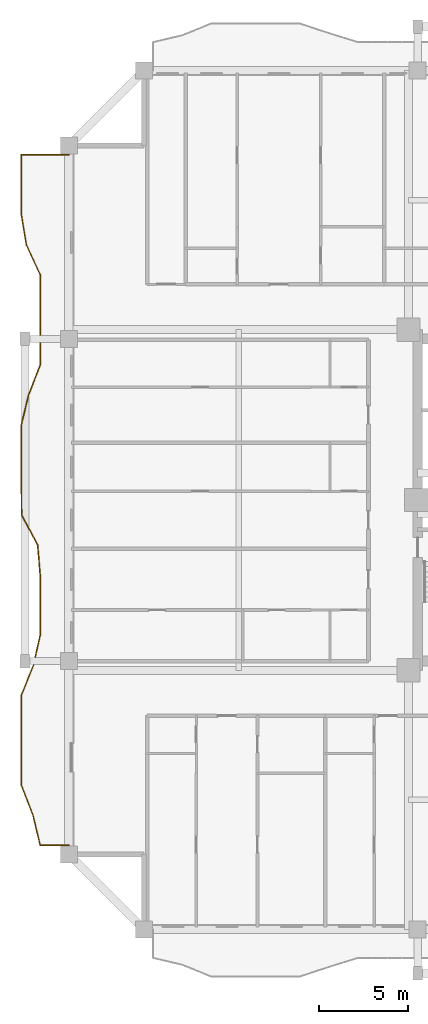
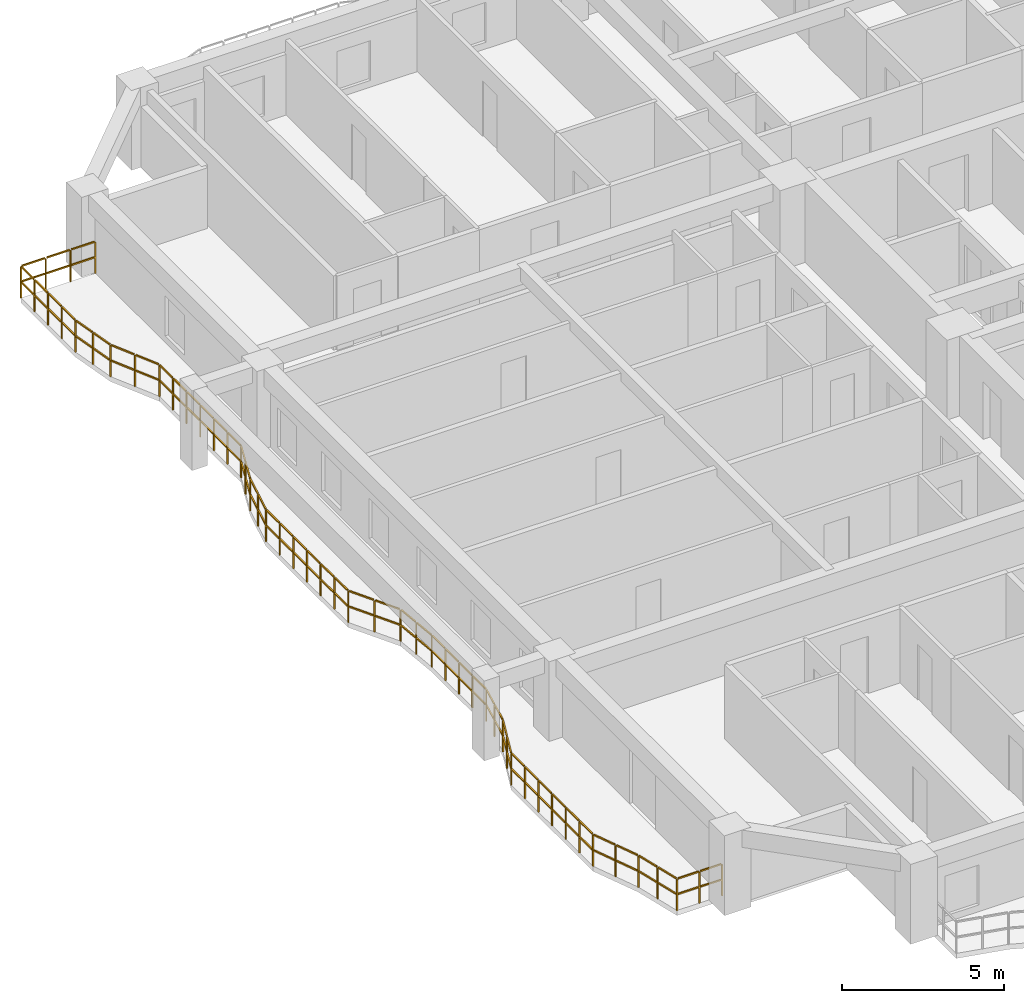
# One storey, part 11 of 14: 1 railing.
"""IFC4 building model written with IfcOpenShell, lengths in metres."""

from ifc_helpers import new_model, si_unit, direction, frame, origin, origin_2d, place, context, subcontext, project, spatial, rectangle, extrude, material, type_object, element, save


model = new_model("IFC4")

# Units and contexts
model_context = context("Model", 3, precision=1e-05, world=origin(), true_north=direction((0.0, 1.0)))
body_context = subcontext(model_context, "Body", "Model", "MODEL_VIEW")
ifc_project = project(units=[si_unit("LENGTHUNIT", "METRE"), si_unit("AREAUNIT", "SQUARE_METRE"), si_unit("VOLUMEUNIT", "CUBIC_METRE"), si_unit("PLANEANGLEUNIT", "RADIAN"), si_unit("MASSUNIT", "GRAM", prefix="KILO")], contexts=[model_context])

# Site, building, storey
site_placement = place(None, origin())
site = spatial("IfcSite", under=ifc_project, at=site_placement, CompositionType="ELEMENT")
building_placement = place(site_placement, origin())
building = spatial("IfcBuilding", under=site, at=building_placement, Name="Saelheon Loggia Tower", CompositionType="ELEMENT")
storey_placement = place(building_placement, frame((0.0, 0.0, 86.85009765625)))
storey = spatial("IfcBuildingStorey", under=building, at=storey_placement, Name="L27", CompositionType="ELEMENT", Elevation=86.85009765625)

# Railing
ifc_material = material(Name="Architectural Precast Concrete and Laminated Glass Guard", Category="concrete")
railing_type = type_object("IfcRailingType", Name="Guard_Loggia_RL_LOG", PredefinedType="BALUSTRADE", material=ifc_material)
railing_placement = place(storey_placement, frame((12.0, 46.300048828125, 0.0)))
element("IfcRailing", 1, at=railing_placement, inside=storey, type_object=railing_type, Name="L27 West Loggia Balustrade", PredefinedType="BALUSTRADE", context=body_context, shape_type="SweptSolid", body=[
    extrude(rectangle(XDim=0.048095703125, YDim=0.048095703125, at=origin_2d()), frame((-0.033203125, 0.0, 1.19580078125), z_axis=(-1.0, 0.0, 0.0), x_axis=(0.0, -1.0, 0.0)), (0.0, 0.0, 1.0), 0.81689453125),
    extrude(rectangle(XDim=0.048095703125, YDim=0.048095703125, at=origin_2d()), frame((-0.033203125, 0.0, 0.60986328125), z_axis=(-1.0, 0.0, 0.0), x_axis=(0.0, -1.0, 0.0)), (0.0, 0.0, 1.0), 0.81689453125),
    extrude(rectangle(XDim=0.048095703125, YDim=0.048095703125, at=origin_2d()), frame((-0.91650390625, 0.0, 1.19580078125), z_axis=(-1.0, 0.0, 0.0), x_axis=(0.0, -1.0, 0.0)), (0.0, 0.0, 1.0), 0.81689453125),
    extrude(rectangle(XDim=0.048095703125, YDim=0.048095703125, at=origin_2d()), frame((-0.91650390625, 0.0, 0.60986328125), z_axis=(-1.0, 0.0, 0.0), x_axis=(0.0, -1.0, 0.0)), (0.0, 0.0, 1.0), 0.81689453125),
    extrude(rectangle(XDim=0.048095703125, YDim=0.048095703125, at=origin_2d()), frame((-1.7998046875, 0.0, 1.19580078125), z_axis=(-1.0, 0.0, 0.0), x_axis=(0.0, -1.0, 0.0)), (0.0, 0.0, 1.0), 0.81689453125),
    extrude(rectangle(XDim=0.048095703125, YDim=0.048095703125, at=origin_2d()), frame((-1.7998046875, 0.0, 0.60986328125), z_axis=(-1.0, 0.0, 0.0), x_axis=(0.0, -1.0, 0.0)), (0.0, 0.0, 1.0), 0.81689453125),
    extrude(rectangle(XDim=0.048095703125, YDim=0.048095703125, at=origin_2d()), frame((-2.64990234375, -0.033203125, 1.19580078125), z_axis=(0.0, -1.0, 0.0), x_axis=(1.0, 0.0, 0.0)), (0.0, 0.0, 1.0), 0.772705078125),
    extrude(rectangle(XDim=0.048095703125, YDim=0.048095703125, at=origin_2d()), frame((-2.64990234375, -0.033203125, 0.60986328125), z_axis=(0.0, -1.0, 0.0), x_axis=(1.0, 0.0, 0.0)), (0.0, 0.0, 1.0), 0.772705078125),
    extrude(rectangle(XDim=0.048095703125, YDim=0.048095703125, at=origin_2d()), frame((-2.64990234375, -0.87255859375, 1.19580078125), z_axis=(0.0, -1.0, 0.0), x_axis=(1.0, 0.0, 0.0)), (0.0, 0.0, 1.0), 0.772705078125),
    extrude(rectangle(XDim=0.048095703125, YDim=0.048095703125, at=origin_2d()), frame((-2.64990234375, -0.87255859375, 0.60986328125), z_axis=(0.0, -1.0, 0.0), x_axis=(1.0, 0.0, 0.0)), (0.0, 0.0, 1.0), 0.772705078125),
    extrude(rectangle(XDim=0.048095703125, YDim=0.048095703125, at=origin_2d()), frame((-2.64990234375, -1.711669921875, 1.19580078125), z_axis=(0.0, -1.0, 0.0), x_axis=(1.0, 0.0, 0.0)), (0.0, 0.0, 1.0), 0.7724609375),
    extrude(rectangle(XDim=0.048095703125, YDim=0.048095703125, at=origin_2d()), frame((-2.64990234375, -1.711669921875, 0.60986328125), z_axis=(0.0, -1.0, 0.0), x_axis=(1.0, 0.0, 0.0)), (0.0, 0.0, 1.0), 0.7724609375),
    extrude(rectangle(XDim=0.048095703125, YDim=0.048095703125, at=origin_2d()), frame((-2.64990234375, -2.55078125, 1.19580078125), z_axis=(0.0, -1.0, 0.0), x_axis=(1.0, 0.0, 0.0)), (0.0, 0.0, 1.0), 0.7724609375),
    extrude(rectangle(XDim=0.048095703125, YDim=0.048095703125, at=origin_2d()), frame((-2.64990234375, -2.55078125, 0.60986328125), z_axis=(0.0, -1.0, 0.0), x_axis=(1.0, 0.0, 0.0)), (0.0, 0.0, 1.0), 0.7724609375),
    extrude(rectangle(XDim=0.048095703125, YDim=0.048095703125, at=origin_2d()), frame((-2.64453125, -3.38916015625, 1.19580078125), z_axis=(0.16176815253, -0.986828792054, 0.0), x_axis=(0.986828792054, 0.16176815253, 0.0)), (0.0, 0.0, 1.0), 0.783935546875),
    extrude(rectangle(XDim=0.048095703125, YDim=0.048095703125, at=origin_2d()), frame((-2.64453125, -3.38916015625, 0.60986328125), z_axis=(0.16176815253, -0.986828792054, 0.0), x_axis=(0.986828792054, 0.16176815253, 0.0)), (0.0, 0.0, 1.0), 0.783935546875),
    extrude(rectangle(XDim=0.048095703125, YDim=0.048095703125, at=origin_2d()), frame((-2.5068359375, -4.228515625, 1.19580078125), z_axis=(0.16176815253, -0.986828792054, 0.0), x_axis=(0.986828792054, 0.16176815253, 0.0)), (0.0, 0.0, 1.0), 0.783935546875),
    extrude(rectangle(XDim=0.048095703125, YDim=0.048095703125, at=origin_2d()), frame((-2.5068359375, -4.228515625, 0.60986328125), z_axis=(0.16176815253, -0.986828792054, 0.0), x_axis=(0.986828792054, 0.16176815253, 0.0)), (0.0, 0.0, 1.0), 0.783935546875),
    extrude(rectangle(XDim=0.048095703125, YDim=0.048095703125, at=origin_2d()), frame((-2.36083984375, -5.065185546875, 1.19580078125), z_axis=(0.419100057061, -0.907940054283, 0.0), x_axis=(0.907940054283, 0.419100057061, 0.0)), (0.0, 0.0, 1.0), 0.857666015625),
    extrude(rectangle(XDim=0.048095703125, YDim=0.048095703125, at=origin_2d()), frame((-2.36083984375, -5.065185546875, 0.60986328125), z_axis=(0.419100057061, -0.907940054283, 0.0), x_axis=(0.907940054283, 0.419100057061, 0.0)), (0.0, 0.0, 1.0), 0.857666015625),
    extrude(rectangle(XDim=0.048095703125, YDim=0.048095703125, at=origin_2d()), frame((-1.973388671875, -5.904296875, 1.19580078125), z_axis=(0.419100057061, -0.907940054283, 0.0), x_axis=(0.907940054283, 0.419100057061, 0.0)), (0.0, 0.0, 1.0), 0.857666015625),
    extrude(rectangle(XDim=0.048095703125, YDim=0.048095703125, at=origin_2d()), frame((-1.973388671875, -5.904296875, 0.60986328125), z_axis=(0.419100057061, -0.907940054283, 0.0), x_axis=(0.907940054283, 0.419100057061, 0.0)), (0.0, 0.0, 1.0), 0.857666015625),
    extrude(rectangle(XDim=0.048095703125, YDim=0.048095703125, at=origin_2d()), frame((-1.60009765625, -6.746337890625, 1.19580078125), z_axis=(0.0, -1.0, 0.0), x_axis=(1.0, 0.0, 0.0)), (0.0, 0.0, 1.0), 0.772705078125),
    extrude(rectangle(XDim=0.048095703125, YDim=0.048095703125, at=origin_2d()), frame((-1.60009765625, -6.746337890625, 0.60986328125), z_axis=(0.0, -1.0, 0.0), x_axis=(1.0, 0.0, 0.0)), (0.0, 0.0, 1.0), 0.772705078125),
    extrude(rectangle(XDim=0.048095703125, YDim=0.048095703125, at=origin_2d()), frame((-1.60009765625, -7.58544921875, 1.19580078125), z_axis=(0.0, -1.0, 0.0), x_axis=(1.0, 0.0, 0.0)), (0.0, 0.0, 1.0), 0.772705078125),
    extrude(rectangle(XDim=0.048095703125, YDim=0.048095703125, at=origin_2d()), frame((-1.60009765625, -7.58544921875, 0.60986328125), z_axis=(0.0, -1.0, 0.0), x_axis=(1.0, 0.0, 0.0)), (0.0, 0.0, 1.0), 0.772705078125),
    extrude(rectangle(XDim=0.048095703125, YDim=0.048095703125, at=origin_2d()), frame((-1.60009765625, -8.424560546875, 1.19580078125), z_axis=(0.0, -1.0, 0.0), x_axis=(1.0, 0.0, 0.0)), (0.0, 0.0, 1.0), 0.772705078125),
    extrude(rectangle(XDim=0.048095703125, YDim=0.048095703125, at=origin_2d()), frame((-1.60009765625, -8.424560546875, 0.60986328125), z_axis=(0.0, -1.0, 0.0), x_axis=(1.0, 0.0, 0.0)), (0.0, 0.0, 1.0), 0.772705078125),
    extrude(rectangle(XDim=0.048095703125, YDim=0.048095703125, at=origin_2d()), frame((-1.60009765625, -9.263671875, 1.19580078125), z_axis=(0.0, -1.0, 0.0), x_axis=(1.0, 0.0, 0.0)), (0.0, 0.0, 1.0), 0.772705078125),
    extrude(rectangle(XDim=0.048095703125, YDim=0.048095703125, at=origin_2d()), frame((-1.60009765625, -9.263671875, 0.60986328125), z_axis=(0.0, -1.0, 0.0), x_axis=(1.0, 0.0, 0.0)), (0.0, 0.0, 1.0), 0.772705078125),
    extrude(rectangle(XDim=0.048095703125, YDim=0.048095703125, at=origin_2d()), frame((-1.60009765625, -10.102783203125, 1.19580078125), z_axis=(0.0, -1.0, 0.0), x_axis=(1.0, 0.0, 0.0)), (0.0, 0.0, 1.0), 0.772705078125),
    extrude(rectangle(XDim=0.048095703125, YDim=0.048095703125, at=origin_2d()), frame((-1.60009765625, -10.102783203125, 0.60986328125), z_axis=(0.0, -1.0, 0.0), x_axis=(1.0, 0.0, 0.0)), (0.0, 0.0, 1.0), 0.772705078125),
    extrude(rectangle(XDim=0.048095703125, YDim=0.048095703125, at=origin_2d()), frame((-1.60009765625, -10.94189453125, 1.19580078125), z_axis=(0.0, -1.0, 0.0), x_axis=(1.0, 0.0, 0.0)), (0.0, 0.0, 1.0), 0.772705078125),
    extrude(rectangle(XDim=0.048095703125, YDim=0.048095703125, at=origin_2d()), frame((-1.60009765625, -10.94189453125, 0.60986328125), z_axis=(0.0, -1.0, 0.0), x_axis=(1.0, 0.0, 0.0)), (0.0, 0.0, 1.0), 0.772705078125),
    extrude(rectangle(XDim=0.048095703125, YDim=0.048095703125, at=origin_2d()), frame((-1.612060546875, -11.77880859375, 1.19580078125), z_axis=(-0.358951787018, -0.93335610278, 0.0), x_axis=(0.93335610278, -0.358951787018, 0.0)), (0.0, 0.0, 1.0), 0.832763671875),
    extrude(rectangle(XDim=0.048095703125, YDim=0.048095703125, at=origin_2d()), frame((-1.612060546875, -11.77880859375, 0.60986328125), z_axis=(-0.358951787018, -0.93335610278, 0.0), x_axis=(0.93335610278, -0.358951787018, 0.0)), (0.0, 0.0, 1.0), 0.832763671875),
    extrude(rectangle(XDim=0.048095703125, YDim=0.048095703125, at=origin_2d()), frame((-1.934814453125, -12.6181640625, 1.19580078125), z_axis=(-0.358951787018, -0.93335610278, 0.0), x_axis=(0.93335610278, -0.358951787018, 0.0)), (0.0, 0.0, 1.0), 0.832763671875),
    extrude(rectangle(XDim=0.048095703125, YDim=0.048095703125, at=origin_2d()), frame((-1.934814453125, -12.6181640625, 0.60986328125), z_axis=(-0.358951787018, -0.93335610278, 0.0), x_axis=(0.93335610278, -0.358951787018, 0.0)), (0.0, 0.0, 1.0), 0.832763671875),
    extrude(rectangle(XDim=0.048095703125, YDim=0.048095703125, at=origin_2d()), frame((-2.25341796875, -13.45849609375, 1.19580078125), z_axis=(-0.234239529091, -0.972178915124, 0.0), x_axis=(0.972178915124, -0.234239529091, 0.0)), (0.0, 0.0, 1.0), 0.796630859375),
    extrude(rectangle(XDim=0.048095703125, YDim=0.048095703125, at=origin_2d()), frame((-2.25341796875, -13.45849609375, 0.60986328125), z_axis=(-0.234239529091, -0.972178915124, 0.0), x_axis=(0.972178915124, -0.234239529091, 0.0)), (0.0, 0.0, 1.0), 0.796630859375),
    extrude(rectangle(XDim=0.048095703125, YDim=0.048095703125, at=origin_2d()), frame((-2.45556640625, -14.297607421875, 1.19580078125), z_axis=(-0.234239529091, -0.972178915124, 0.0), x_axis=(0.972178915124, -0.234239529091, 0.0)), (0.0, 0.0, 1.0), 0.796630859375),
    extrude(rectangle(XDim=0.048095703125, YDim=0.048095703125, at=origin_2d()), frame((-2.45556640625, -14.297607421875, 0.60986328125), z_axis=(-0.234239529091, -0.972178915124, 0.0), x_axis=(0.972178915124, -0.234239529091, 0.0)), (0.0, 0.0, 1.0), 0.796630859375),
    extrude(rectangle(XDim=0.048095703125, YDim=0.048095703125, at=origin_2d()), frame((-2.64990234375, -15.137451171875, 1.19580078125), z_axis=(0.0, -1.0, 0.0), x_axis=(1.0, 0.0, 0.0)), (0.0, 0.0, 1.0), 0.772705078125),
    extrude(rectangle(XDim=0.048095703125, YDim=0.048095703125, at=origin_2d()), frame((-2.64990234375, -15.137451171875, 0.60986328125), z_axis=(0.0, -1.0, 0.0), x_axis=(1.0, 0.0, 0.0)), (0.0, 0.0, 1.0), 0.772705078125),
    extrude(rectangle(XDim=0.048095703125, YDim=0.048095703125, at=origin_2d()), frame((-2.64990234375, -15.976806640625, 1.19580078125), z_axis=(0.0, -1.0, 0.0), x_axis=(1.0, 0.0, 0.0)), (0.0, 0.0, 1.0), 0.772705078125),
    extrude(rectangle(XDim=0.048095703125, YDim=0.048095703125, at=origin_2d()), frame((-2.64990234375, -15.976806640625, 0.60986328125), z_axis=(0.0, -1.0, 0.0), x_axis=(1.0, 0.0, 0.0)), (0.0, 0.0, 1.0), 0.772705078125),
    extrude(rectangle(XDim=0.048095703125, YDim=0.048095703125, at=origin_2d()), frame((-2.64990234375, -16.81591796875, 1.19580078125), z_axis=(0.0, -1.0, 0.0), x_axis=(1.0, 0.0, 0.0)), (0.0, 0.0, 1.0), 0.772705078125),
    extrude(rectangle(XDim=0.048095703125, YDim=0.048095703125, at=origin_2d()), frame((-2.64990234375, -16.81591796875, 0.60986328125), z_axis=(0.0, -1.0, 0.0), x_axis=(1.0, 0.0, 0.0)), (0.0, 0.0, 1.0), 0.772705078125),
    extrude(rectangle(XDim=0.048095703125, YDim=0.048095703125, at=origin_2d()), frame((-2.64990234375, -17.655029296875, 1.19580078125), z_axis=(0.0, -1.0, 0.0), x_axis=(1.0, 0.0, 0.0)), (0.0, 0.0, 1.0), 0.772705078125),
    extrude(rectangle(XDim=0.048095703125, YDim=0.048095703125, at=origin_2d()), frame((-2.64990234375, -17.655029296875, 0.60986328125), z_axis=(0.0, -1.0, 0.0), x_axis=(1.0, 0.0, 0.0)), (0.0, 0.0, 1.0), 0.772705078125),
    extrude(rectangle(XDim=0.048095703125, YDim=0.048095703125, at=origin_2d()), frame((-2.649658203125, -18.494140625, 1.19580078125), z_axis=(0.009310041647, -0.999956660623, 0.0), x_axis=(0.999956660623, 0.009310041647, 0.0)), (0.0, 0.0, 1.0), 0.772705078125),
    extrude(rectangle(XDim=0.048095703125, YDim=0.048095703125, at=origin_2d()), frame((-2.649658203125, -18.494140625, 0.60986328125), z_axis=(0.009310041647, -0.999956660623, 0.0), x_axis=(0.999956660623, 0.009310041647, 0.0)), (0.0, 0.0, 1.0), 0.772705078125),
    extrude(rectangle(XDim=0.048095703125, YDim=0.048095703125, at=origin_2d()), frame((-2.641845703125, -19.333251953125, 1.19580078125), z_axis=(0.009310041647, -0.999956660623, 0.0), x_axis=(0.999956660623, 0.009310041647, 0.0)), (0.0, 0.0, 1.0), 0.772705078125),
    extrude(rectangle(XDim=0.048095703125, YDim=0.048095703125, at=origin_2d()), frame((-2.641845703125, -19.333251953125, 0.60986328125), z_axis=(0.009310041647, -0.999956660623, 0.0), x_axis=(0.999956660623, 0.009310041647, 0.0)), (0.0, 0.0, 1.0), 0.772705078125),
    extrude(rectangle(XDim=0.048095703125, YDim=0.048095703125, at=origin_2d()), frame((-2.61865234375, -20.16845703125, 1.19580078125), z_axis=(0.470474964031, -0.882413343179, 0.0), x_axis=(0.882413343179, 0.470474964031, 0.0)), (0.0, 0.0, 1.0), 0.884521484375),
    extrude(rectangle(XDim=0.048095703125, YDim=0.048095703125, at=origin_2d()), frame((-2.61865234375, -20.16845703125, 0.60986328125), z_axis=(0.470474964031, -0.882413343179, 0.0), x_axis=(0.882413343179, 0.470474964031, 0.0)), (0.0, 0.0, 1.0), 0.884521484375),
    extrude(rectangle(XDim=0.048095703125, YDim=0.048095703125, at=origin_2d()), frame((-2.171142578125, -21.007568359375, 1.19580078125), z_axis=(0.470474964031, -0.882413343179, 0.0), x_axis=(0.882413343179, 0.470474964031, 0.0)), (0.0, 0.0, 1.0), 0.884521484375),
    extrude(rectangle(XDim=0.048095703125, YDim=0.048095703125, at=origin_2d()), frame((-2.171142578125, -21.007568359375, 0.60986328125), z_axis=(0.470474964031, -0.882413343179, 0.0), x_axis=(0.882413343179, 0.470474964031, 0.0)), (0.0, 0.0, 1.0), 0.884521484375),
    extrude(rectangle(XDim=0.048095703125, YDim=0.048095703125, at=origin_2d()), frame((-1.73681640625, -21.8505859375, 1.19580078125), z_axis=(0.082769561471, -0.996568712982, 0.0), x_axis=(0.996568712982, 0.082769561471, 0.0)), (0.0, 0.0, 1.0), 0.775634765625),
    extrude(rectangle(XDim=0.048095703125, YDim=0.048095703125, at=origin_2d()), frame((-1.73681640625, -21.8505859375, 0.60986328125), z_axis=(0.082769561471, -0.996568712982, 0.0), x_axis=(0.996568712982, 0.082769561471, 0.0)), (0.0, 0.0, 1.0), 0.775634765625),
    extrude(rectangle(XDim=0.048095703125, YDim=0.048095703125, at=origin_2d()), frame((-1.6669921875, -22.689697265625, 1.19580078125), z_axis=(0.082769561471, -0.996568712982, 0.0), x_axis=(0.996568712982, 0.082769561471, 0.0)), (0.0, 0.0, 1.0), 0.775634765625),
    extrude(rectangle(XDim=0.048095703125, YDim=0.048095703125, at=origin_2d()), frame((-1.6669921875, -22.689697265625, 0.60986328125), z_axis=(0.082769561471, -0.996568712982, 0.0), x_axis=(0.996568712982, 0.082769561471, 0.0)), (0.0, 0.0, 1.0), 0.775634765625),
    extrude(rectangle(XDim=0.048095703125, YDim=0.048095703125, at=origin_2d()), frame((-1.60009765625, -23.529052734375, 1.19580078125), z_axis=(0.0, -1.0, 0.0), x_axis=(1.0, 0.0, 0.0)), (0.0, 0.0, 1.0), 0.7724609375),
    extrude(rectangle(XDim=0.048095703125, YDim=0.048095703125, at=origin_2d()), frame((-1.60009765625, -23.529052734375, 0.60986328125), z_axis=(0.0, -1.0, 0.0), x_axis=(1.0, 0.0, 0.0)), (0.0, 0.0, 1.0), 0.7724609375),
    extrude(rectangle(XDim=0.048095703125, YDim=0.048095703125, at=origin_2d()), frame((-1.60009765625, -24.3681640625, 1.19580078125), z_axis=(0.0, -1.0, 0.0), x_axis=(1.0, 0.0, 0.0)), (0.0, 0.0, 1.0), 0.7724609375),
    extrude(rectangle(XDim=0.048095703125, YDim=0.048095703125, at=origin_2d()), frame((-1.60009765625, -24.3681640625, 0.60986328125), z_axis=(0.0, -1.0, 0.0), x_axis=(1.0, 0.0, 0.0)), (0.0, 0.0, 1.0), 0.7724609375),
    extrude(rectangle(XDim=0.048095703125, YDim=0.048095703125, at=origin_2d()), frame((-1.60009765625, -25.20703125, 1.19580078125), z_axis=(0.0, -1.0, 0.0), x_axis=(1.0, 0.0, 0.0)), (0.0, 0.0, 1.0), 0.772705078125),
    extrude(rectangle(XDim=0.048095703125, YDim=0.048095703125, at=origin_2d()), frame((-1.60009765625, -25.20703125, 0.60986328125), z_axis=(0.0, -1.0, 0.0), x_axis=(1.0, 0.0, 0.0)), (0.0, 0.0, 1.0), 0.772705078125),
    extrude(rectangle(XDim=0.048095703125, YDim=0.048095703125, at=origin_2d()), frame((-1.60009765625, -26.04638671875, 1.19580078125), z_axis=(0.0, -1.0, 0.0), x_axis=(1.0, 0.0, 0.0)), (0.0, 0.0, 1.0), 0.772705078125),
    extrude(rectangle(XDim=0.048095703125, YDim=0.048095703125, at=origin_2d()), frame((-1.60009765625, -26.04638671875, 0.60986328125), z_axis=(0.0, -1.0, 0.0), x_axis=(1.0, 0.0, 0.0)), (0.0, 0.0, 1.0), 0.772705078125),
    extrude(rectangle(XDim=0.048095703125, YDim=0.048095703125, at=origin_2d()), frame((-1.607421875, -26.884765625, 1.19580078125), z_axis=(-0.219019037478, -0.97572058563, 0.0), x_axis=(0.97572058563, -0.219019037478, 0.0)), (0.0, 0.0, 1.0), 0.79345703125),
    extrude(rectangle(XDim=0.048095703125, YDim=0.048095703125, at=origin_2d()), frame((-1.607421875, -26.884765625, 0.60986328125), z_axis=(-0.219019037478, -0.97572058563, 0.0), x_axis=(0.97572058563, -0.219019037478, 0.0)), (0.0, 0.0, 1.0), 0.79345703125),
    extrude(rectangle(XDim=0.048095703125, YDim=0.048095703125, at=origin_2d()), frame((-1.795654296875, -27.723876953125, 1.19580078125), z_axis=(-0.219019037478, -0.97572058563, 0.0), x_axis=(0.97572058563, -0.219019037478, 0.0)), (0.0, 0.0, 1.0), 0.79345703125),
    extrude(rectangle(XDim=0.048095703125, YDim=0.048095703125, at=origin_2d()), frame((-1.795654296875, -27.723876953125, 0.60986328125), z_axis=(-0.219019037478, -0.97572058563, 0.0), x_axis=(0.97572058563, -0.219019037478, 0.0)), (0.0, 0.0, 1.0), 0.79345703125),
    extrude(rectangle(XDim=0.048095703125, YDim=0.048095703125, at=origin_2d()), frame((-1.9892578125, -28.561279296875, 1.19580078125), z_axis=(-0.372251854994, -0.928131755977, 0.0), x_axis=(0.928131755977, -0.372251854994, 0.0)), (0.0, 0.0, 1.0), 0.837646484375),
    extrude(rectangle(XDim=0.048095703125, YDim=0.048095703125, at=origin_2d()), frame((-1.9892578125, -28.561279296875, 0.60986328125), z_axis=(-0.372251854994, -0.928131755977, 0.0), x_axis=(0.928131755977, -0.372251854994, 0.0)), (0.0, 0.0, 1.0), 0.837646484375),
    extrude(rectangle(XDim=0.048095703125, YDim=0.048095703125, at=origin_2d()), frame((-2.32568359375, -29.400390625, 1.19580078125), z_axis=(-0.372251854994, -0.928131755977, 0.0), x_axis=(0.928131755977, -0.372251854994, 0.0)), (0.0, 0.0, 1.0), 0.837646484375),
    extrude(rectangle(XDim=0.048095703125, YDim=0.048095703125, at=origin_2d()), frame((-2.32568359375, -29.400390625, 0.60986328125), z_axis=(-0.372251854994, -0.928131755977, 0.0), x_axis=(0.928131755977, -0.372251854994, 0.0)), (0.0, 0.0, 1.0), 0.837646484375),
    extrude(rectangle(XDim=0.048095703125, YDim=0.048095703125, at=origin_2d()), frame((-2.64990234375, -30.241943359375, 1.19580078125), z_axis=(0.0, -1.0, 0.0), x_axis=(1.0, 0.0, 0.0)), (0.0, 0.0, 1.0), 0.772705078125),
    extrude(rectangle(XDim=0.048095703125, YDim=0.048095703125, at=origin_2d()), frame((-2.64990234375, -30.241943359375, 0.60986328125), z_axis=(0.0, -1.0, 0.0), x_axis=(1.0, 0.0, 0.0)), (0.0, 0.0, 1.0), 0.772705078125),
    extrude(rectangle(XDim=0.048095703125, YDim=0.048095703125, at=origin_2d()), frame((-2.64990234375, -31.0810546875, 1.19580078125), z_axis=(0.0, -1.0, 0.0), x_axis=(1.0, 0.0, 0.0)), (0.0, 0.0, 1.0), 0.772705078125),
    extrude(rectangle(XDim=0.048095703125, YDim=0.048095703125, at=origin_2d()), frame((-2.64990234375, -31.0810546875, 0.60986328125), z_axis=(0.0, -1.0, 0.0), x_axis=(1.0, 0.0, 0.0)), (0.0, 0.0, 1.0), 0.772705078125),
    extrude(rectangle(XDim=0.048095703125, YDim=0.048095703125, at=origin_2d()), frame((-2.64990234375, -31.920166015625, 1.19580078125), z_axis=(0.0, -1.0, 0.0), x_axis=(1.0, 0.0, 0.0)), (0.0, 0.0, 1.0), 0.772705078125),
    extrude(rectangle(XDim=0.048095703125, YDim=0.048095703125, at=origin_2d()), frame((-2.64990234375, -31.920166015625, 0.60986328125), z_axis=(0.0, -1.0, 0.0), x_axis=(1.0, 0.0, 0.0)), (0.0, 0.0, 1.0), 0.772705078125),
    extrude(rectangle(XDim=0.048095703125, YDim=0.048095703125, at=origin_2d()), frame((-2.64990234375, -32.75927734375, 1.19580078125), z_axis=(0.0, -1.0, 0.0), x_axis=(1.0, 0.0, 0.0)), (0.0, 0.0, 1.0), 0.772705078125),
    extrude(rectangle(XDim=0.048095703125, YDim=0.048095703125, at=origin_2d()), frame((-2.64990234375, -32.75927734375, 0.60986328125), z_axis=(0.0, -1.0, 0.0), x_axis=(1.0, 0.0, 0.0)), (0.0, 0.0, 1.0), 0.772705078125),
    extrude(rectangle(XDim=0.048095703125, YDim=0.048095703125, at=origin_2d()), frame((-2.64990234375, -33.598388671875, 1.19580078125), z_axis=(0.0, -1.0, 0.0), x_axis=(1.0, 0.0, 0.0)), (0.0, 0.0, 1.0), 0.772705078125),
    extrude(rectangle(XDim=0.048095703125, YDim=0.048095703125, at=origin_2d()), frame((-2.64990234375, -33.598388671875, 0.60986328125), z_axis=(0.0, -1.0, 0.0), x_axis=(1.0, 0.0, 0.0)), (0.0, 0.0, 1.0), 0.772705078125),
    extrude(rectangle(XDim=0.048095703125, YDim=0.048095703125, at=origin_2d()), frame((-2.64990234375, -34.437744140625, 1.19580078125), z_axis=(0.0, -1.0, 0.0), x_axis=(1.0, 0.0, 0.0)), (0.0, 0.0, 1.0), 0.772705078125),
    extrude(rectangle(XDim=0.048095703125, YDim=0.048095703125, at=origin_2d()), frame((-2.64990234375, -34.437744140625, 0.60986328125), z_axis=(0.0, -1.0, 0.0), x_axis=(1.0, 0.0, 0.0)), (0.0, 0.0, 1.0), 0.772705078125),
    extrude(rectangle(XDim=0.048095703125, YDim=0.048095703125, at=origin_2d()), frame((-2.637939453125, -35.274658203125, 1.19580078125), z_axis=(0.359988539971, -0.932956725197, 0.0), x_axis=(0.932956725197, 0.359988539971, 0.0)), (0.0, 0.0, 1.0), 0.832763671875),
    extrude(rectangle(XDim=0.048095703125, YDim=0.048095703125, at=origin_2d()), frame((-2.637939453125, -35.274658203125, 0.60986328125), z_axis=(0.359988539971, -0.932956725197, 0.0), x_axis=(0.932956725197, 0.359988539971, 0.0)), (0.0, 0.0, 1.0), 0.832763671875),
    extrude(rectangle(XDim=0.048095703125, YDim=0.048095703125, at=origin_2d()), frame((-2.314208984375, -36.11376953125, 1.19580078125), z_axis=(0.359988539971, -0.932956725197, 0.0), x_axis=(0.932956725197, 0.359988539971, 0.0)), (0.0, 0.0, 1.0), 0.832763671875),
    extrude(rectangle(XDim=0.048095703125, YDim=0.048095703125, at=origin_2d()), frame((-2.314208984375, -36.11376953125, 0.60986328125), z_axis=(0.359988539971, -0.932956725197, 0.0), x_axis=(0.932956725197, 0.359988539971, 0.0)), (0.0, 0.0, 1.0), 0.832763671875),
    extrude(rectangle(XDim=0.048095703125, YDim=0.048095703125, at=origin_2d()), frame((-1.99462890625, -36.953857421875, 1.19580078125), z_axis=(0.233105455965, -0.972451462233, 0.0), x_axis=(0.972451462233, 0.233105455965, 0.0)), (0.0, 0.0, 1.0), 0.796630859375),
    extrude(rectangle(XDim=0.048095703125, YDim=0.048095703125, at=origin_2d()), frame((-1.99462890625, -36.953857421875, 0.60986328125), z_axis=(0.233105455965, -0.972451462233, 0.0), x_axis=(0.972451462233, 0.233105455965, 0.0)), (0.0, 0.0, 1.0), 0.796630859375),
    extrude(rectangle(XDim=0.048095703125, YDim=0.048095703125, at=origin_2d()), frame((-1.79345703125, -37.793212890625, 1.19580078125), z_axis=(0.233105455965, -0.972451462233, 0.0), x_axis=(0.972451462233, 0.233105455965, 0.0)), (0.0, 0.0, 1.0), 0.796630859375),
    extrude(rectangle(XDim=0.048095703125, YDim=0.048095703125, at=origin_2d()), frame((-1.79345703125, -37.793212890625, 0.60986328125), z_axis=(0.233105455965, -0.972451462233, 0.0), x_axis=(0.972451462233, 0.233105455965, 0.0)), (0.0, 0.0, 1.0), 0.796630859375),
    extrude(rectangle(XDim=0.048095703125, YDim=0.048095703125, at=origin_2d()), frame((-1.56689453125, -38.60009765625, 1.19580078125), z_axis=(1.0, 0.0, 0.0), x_axis=(0.0, 1.0, 0.0)), (0.0, 0.0, 1.0), 0.733642578125),
    extrude(rectangle(XDim=0.048095703125, YDim=0.048095703125, at=origin_2d()), frame((-1.56689453125, -38.60009765625, 0.60986328125), z_axis=(1.0, 0.0, 0.0), x_axis=(0.0, 1.0, 0.0)), (0.0, 0.0, 1.0), 0.733642578125),
    extrude(rectangle(XDim=0.048095703125, YDim=0.048095703125, at=origin_2d()), frame((-0.766845703125, -38.60009765625, 1.19580078125), z_axis=(1.0, 0.0, 0.0), x_axis=(0.0, 1.0, 0.0)), (0.0, 0.0, 1.0), 0.733642578125),
    extrude(rectangle(XDim=0.048095703125, YDim=0.048095703125, at=origin_2d()), frame((-0.766845703125, -38.60009765625, 0.60986328125), z_axis=(1.0, 0.0, 0.0), x_axis=(0.0, 1.0, 0.0)), (0.0, 0.0, 1.0), 0.733642578125),
    extrude(rectangle(XDim=0.0419921875, YDim=0.0419921875, at=origin_2d()), origin(), (0.0, 0.0, 1.0), 1.16796875),
    extrude(rectangle(XDim=0.0419921875, YDim=0.0419921875, at=origin_2d()), frame((-0.88330078125, 0.0, 0.0)), (0.0, 0.0, 1.0), 1.16796875),
    extrude(rectangle(XDim=0.0419921875, YDim=0.0419921875, at=origin_2d()), frame((-1.7666015625, 0.0, 0.0)), (0.0, 0.0, 1.0), 1.16796875),
    extrude(rectangle(XDim=0.0419921875, YDim=0.0419921875, at=origin_2d()), frame((-2.64990234375, 0.0, 0.0)), (0.0, 0.0, 1.0), 1.16796875),
    extrude(rectangle(XDim=0.0419921875, YDim=0.0419921875, at=origin_2d()), frame((-2.64990234375, -0.83935546875, 0.0)), (0.0, 0.0, 1.0), 1.16796875),
    extrude(rectangle(XDim=0.0419921875, YDim=0.0419921875, at=origin_2d()), frame((-2.64990234375, -1.678466796875, 0.0)), (0.0, 0.0, 1.0), 1.16796875),
    extrude(rectangle(XDim=0.0419921875, YDim=0.0419921875, at=origin_2d()), frame((-2.64990234375, -2.517578125, 0.0)), (0.0, 0.0, 1.0), 1.16796875),
    extrude(rectangle(XDim=0.0419921875, YDim=0.0419921875, at=origin_2d()), frame((-2.64990234375, -3.3564453125, 0.0)), (0.0, 0.0, 1.0), 1.16796875),
    extrude(rectangle(XDim=0.0419921875, YDim=0.0419921875, at=origin_2d()), frame((-2.51220703125, -4.19580078125, 0.0)), (0.0, 0.0, 1.0), 1.16796875),
    extrude(rectangle(XDim=0.0419921875, YDim=0.0419921875, at=origin_2d()), frame((-2.374755859375, -5.034912109375, 0.0)), (0.0, 0.0, 1.0), 1.16796875),
    extrude(rectangle(XDim=0.0419921875, YDim=0.0419921875, at=origin_2d()), frame((-1.9873046875, -5.8740234375, 0.0)), (0.0, 0.0, 1.0), 1.16796875),
    extrude(rectangle(XDim=0.0419921875, YDim=0.0419921875, at=origin_2d()), frame((-1.60009765625, -6.713134765625, 0.0)), (0.0, 0.0, 1.0), 1.16796875),
    extrude(rectangle(XDim=0.0419921875, YDim=0.0419921875, at=origin_2d()), frame((-1.60009765625, -7.55224609375, 0.0)), (0.0, 0.0, 1.0), 1.16796875),
    extrude(rectangle(XDim=0.0419921875, YDim=0.0419921875, at=origin_2d()), frame((-1.60009765625, -8.391357421875, 0.0)), (0.0, 0.0, 1.0), 1.16796875),
    extrude(rectangle(XDim=0.0419921875, YDim=0.0419921875, at=origin_2d()), frame((-1.60009765625, -9.23046875, 0.0)), (0.0, 0.0, 1.0), 1.16796875),
    extrude(rectangle(XDim=0.0419921875, YDim=0.0419921875, at=origin_2d()), frame((-1.60009765625, -10.069580078125, 0.0)), (0.0, 0.0, 1.0), 1.16796875),
    extrude(rectangle(XDim=0.0419921875, YDim=0.0419921875, at=origin_2d()), frame((-1.60009765625, -10.90869140625, 0.0)), (0.0, 0.0, 1.0), 1.16796875),
    extrude(rectangle(XDim=0.0419921875, YDim=0.0419921875, at=origin_2d()), frame((-1.60009765625, -11.747802734375, 0.0)), (0.0, 0.0, 1.0), 1.16796875),
    extrude(rectangle(XDim=0.0419921875, YDim=0.0419921875, at=origin_2d()), frame((-1.9228515625, -12.5869140625, 0.0)), (0.0, 0.0, 1.0), 1.16796875),
    extrude(rectangle(XDim=0.0419921875, YDim=0.0419921875, at=origin_2d()), frame((-2.24560546875, -13.42626953125, 0.0)), (0.0, 0.0, 1.0), 1.16796875),
    extrude(rectangle(XDim=0.0419921875, YDim=0.0419921875, at=origin_2d()), frame((-2.44775390625, -14.26513671875, 0.0)), (0.0, 0.0, 1.0), 1.16796875),
    extrude(rectangle(XDim=0.0419921875, YDim=0.0419921875, at=origin_2d()), frame((-2.64990234375, -15.104248046875, 0.0)), (0.0, 0.0, 1.0), 1.16796875),
    extrude(rectangle(XDim=0.0419921875, YDim=0.0419921875, at=origin_2d()), frame((-2.64990234375, -15.943359375, 0.0)), (0.0, 0.0, 1.0), 1.16796875),
    extrude(rectangle(XDim=0.0419921875, YDim=0.0419921875, at=origin_2d()), frame((-2.64990234375, -16.78271484375, 0.0)), (0.0, 0.0, 1.0), 1.16796875),
    extrude(rectangle(XDim=0.0419921875, YDim=0.0419921875, at=origin_2d()), frame((-2.64990234375, -17.621826171875, 0.0)), (0.0, 0.0, 1.0), 1.16796875),
    extrude(rectangle(XDim=0.0419921875, YDim=0.0419921875, at=origin_2d()), frame((-2.64990234375, -18.4609375, 0.0)), (0.0, 0.0, 1.0), 1.16796875),
    extrude(rectangle(XDim=0.0419921875, YDim=0.0419921875, at=origin_2d()), frame((-2.64208984375, -19.300048828125, 0.0)), (0.0, 0.0, 1.0), 1.16796875),
    extrude(rectangle(XDim=0.0419921875, YDim=0.0419921875, at=origin_2d()), frame((-2.63427734375, -20.13916015625, 0.0)), (0.0, 0.0, 1.0), 1.16796875),
    extrude(rectangle(XDim=0.0419921875, YDim=0.0419921875, at=origin_2d()), frame((-2.18701171875, -20.978271484375, 0.0)), (0.0, 0.0, 1.0), 1.16796875),
    extrude(rectangle(XDim=0.0419921875, YDim=0.0419921875, at=origin_2d()), frame((-1.739501953125, -21.8173828125, 0.0)), (0.0, 0.0, 1.0), 1.16796875),
    extrude(rectangle(XDim=0.0419921875, YDim=0.0419921875, at=origin_2d()), frame((-1.669921875, -22.65673828125, 0.0)), (0.0, 0.0, 1.0), 1.16796875),
    extrude(rectangle(XDim=0.0419921875, YDim=0.0419921875, at=origin_2d()), frame((-1.60009765625, -23.495849609375, 0.0)), (0.0, 0.0, 1.0), 1.16796875),
    extrude(rectangle(XDim=0.0419921875, YDim=0.0419921875, at=origin_2d()), frame((-1.60009765625, -24.3349609375, 0.0)), (0.0, 0.0, 1.0), 1.16796875),
    extrude(rectangle(XDim=0.0419921875, YDim=0.0419921875, at=origin_2d()), frame((-1.60009765625, -25.173828125, 0.0)), (0.0, 0.0, 1.0), 1.16796875),
    extrude(rectangle(XDim=0.0419921875, YDim=0.0419921875, at=origin_2d()), frame((-1.60009765625, -26.01318359375, 0.0)), (0.0, 0.0, 1.0), 1.16796875),
    extrude(rectangle(XDim=0.0419921875, YDim=0.0419921875, at=origin_2d()), frame((-1.60009765625, -26.852294921875, 0.0)), (0.0, 0.0, 1.0), 1.16796875),
    extrude(rectangle(XDim=0.0419921875, YDim=0.0419921875, at=origin_2d()), frame((-1.78857421875, -27.69140625, 0.0)), (0.0, 0.0, 1.0), 1.16796875),
    extrude(rectangle(XDim=0.0419921875, YDim=0.0419921875, at=origin_2d()), frame((-1.976806640625, -28.530517578125, 0.0)), (0.0, 0.0, 1.0), 1.16796875),
    extrude(rectangle(XDim=0.0419921875, YDim=0.0419921875, at=origin_2d()), frame((-2.3134765625, -29.36962890625, 0.0)), (0.0, 0.0, 1.0), 1.16796875),
    extrude(rectangle(XDim=0.0419921875, YDim=0.0419921875, at=origin_2d()), frame((-2.64990234375, -30.208740234375, 0.0)), (0.0, 0.0, 1.0), 1.16796875),
    extrude(rectangle(XDim=0.0419921875, YDim=0.0419921875, at=origin_2d()), frame((-2.64990234375, -31.0478515625, 0.0)), (0.0, 0.0, 1.0), 1.16796875),
    extrude(rectangle(XDim=0.0419921875, YDim=0.0419921875, at=origin_2d()), frame((-2.64990234375, -31.886962890625, 0.0)), (0.0, 0.0, 1.0), 1.16796875),
    extrude(rectangle(XDim=0.0419921875, YDim=0.0419921875, at=origin_2d()), frame((-2.64990234375, -32.72607421875, 0.0)), (0.0, 0.0, 1.0), 1.16796875),
    extrude(rectangle(XDim=0.0419921875, YDim=0.0419921875, at=origin_2d()), frame((-2.64990234375, -33.565185546875, 0.0)), (0.0, 0.0, 1.0), 1.16796875),
    extrude(rectangle(XDim=0.0419921875, YDim=0.0419921875, at=origin_2d()), frame((-2.64990234375, -34.404296875, 0.0)), (0.0, 0.0, 1.0), 1.16796875),
    extrude(rectangle(XDim=0.0419921875, YDim=0.0419921875, at=origin_2d()), frame((-2.64990234375, -35.24365234375, 0.0)), (0.0, 0.0, 1.0), 1.16796875),
    extrude(rectangle(XDim=0.0419921875, YDim=0.0419921875, at=origin_2d()), frame((-2.326171875, -36.08251953125, 0.0)), (0.0, 0.0, 1.0), 1.16796875),
    extrude(rectangle(XDim=0.0419921875, YDim=0.0419921875, at=origin_2d()), frame((-2.00244140625, -36.921630859375, 0.0)), (0.0, 0.0, 1.0), 1.16796875),
    extrude(rectangle(XDim=0.0419921875, YDim=0.0419921875, at=origin_2d()), frame((-1.80126953125, -37.7607421875, 0.0)), (0.0, 0.0, 1.0), 1.16796875),
    extrude(rectangle(XDim=0.0419921875, YDim=0.0419921875, at=origin_2d()), frame((-1.60009765625, -38.60009765625, 0.0)), (0.0, 0.0, 1.0), 1.16796875),
    extrude(rectangle(XDim=0.0419921875, YDim=0.0419921875, at=origin_2d()), frame((-0.800048828125, -38.60009765625, 0.0)), (0.0, 0.0, 1.0), 1.16796875),
    extrude(rectangle(XDim=0.0419921875, YDim=0.0419921875, at=origin_2d()), frame((0.0, -38.60009765625, 0.0)), (0.0, 0.0, 1.0), 1.16796875),
])

save(model, "model.ifc")
